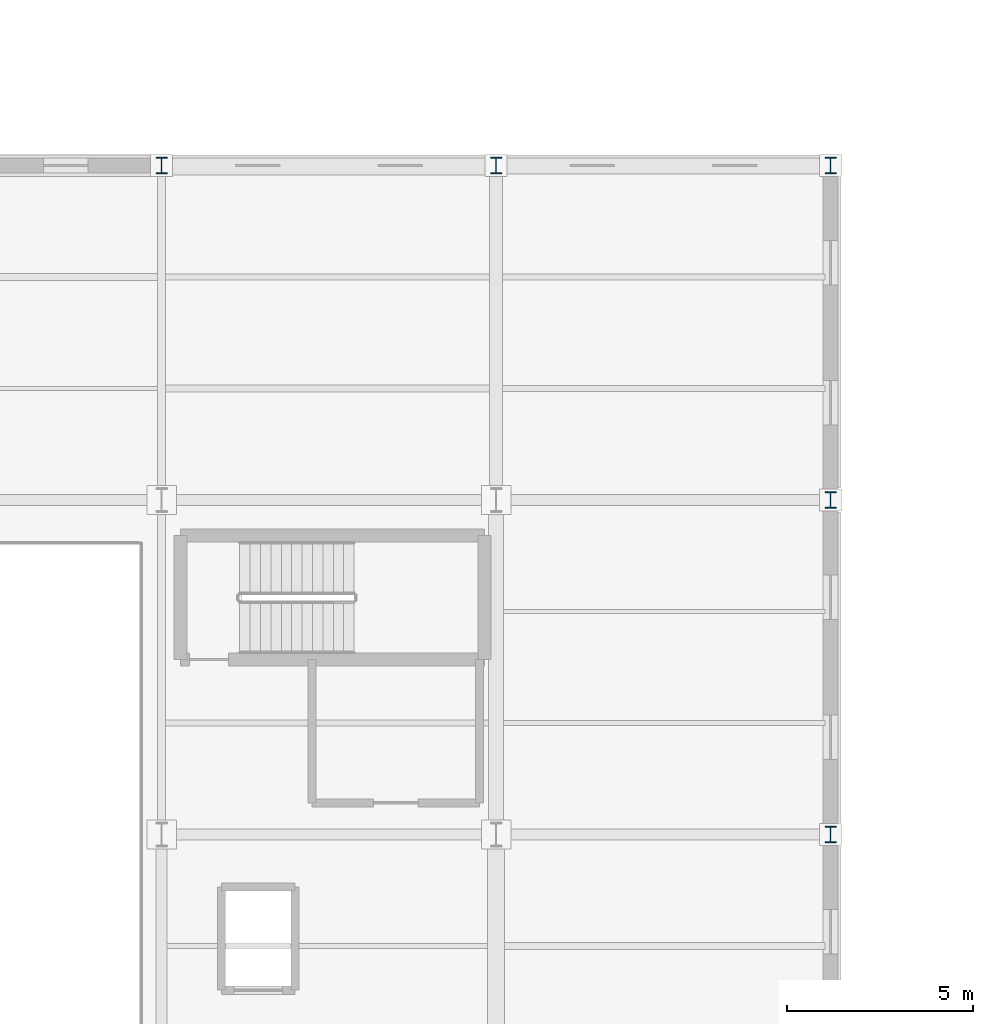
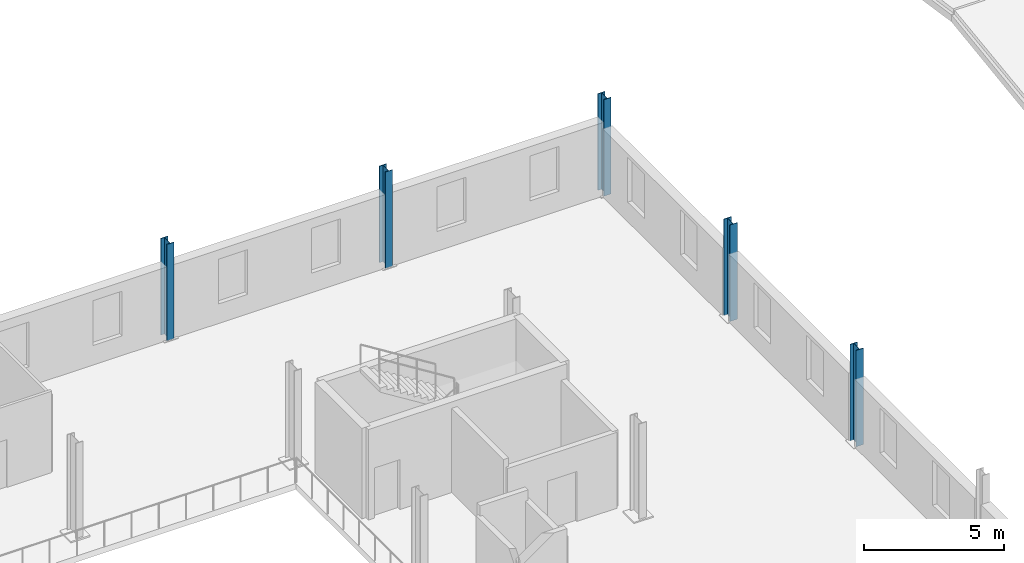
# One storey, part 4 of 17: 5 columns.
"""IFC4 building model written with IfcOpenShell, lengths in metres."""

from ifc_helpers import new_model, si_unit, direction, frame, origin, origin_2d, place, context, subcontext, project, spatial, i_section, extrude, material, material_profile, profile_set, type_object, element, save


model = new_model("IFC4")

# Units and contexts
model_context = context("Model", 3, precision=1e-05, world=origin(), true_north=direction((0.0, 1.0)))
body_context = subcontext(model_context, "Body", "Model", "MODEL_VIEW")
ifc_project = project(units=[si_unit("LENGTHUNIT", "METRE"), si_unit("AREAUNIT", "SQUARE_METRE"), si_unit("VOLUMEUNIT", "CUBIC_METRE"), si_unit("PLANEANGLEUNIT", "RADIAN"), si_unit("MASSUNIT", "GRAM", prefix="KILO")], contexts=[model_context])

# Site, building, storey
site_placement = place(None, origin())
site = spatial("IfcSite", under=ifc_project, at=site_placement, CompositionType="ELEMENT")
building_placement = place(site_placement, origin())
building = spatial("IfcBuilding", under=site, at=building_placement, Name="Sundgate Opera House", CompositionType="ELEMENT")
storey_placement = place(building_placement, frame((0.0, 0.0, 26.39990234375)))
storey = spatial("IfcBuildingStorey", under=building, at=storey_placement, Name="L05", CompositionType="ELEMENT", Elevation=26.39990234375)

# Columns
ifc_material = material(Name="Steel S355J2", Category="steel")
ifc_material_profile = material_profile(ifc_material, i_section(OverallWidth=0.300048828125, OverallDepth=0.449951171875, WebThickness=0.013916015625, FlangeThickness=0.02587890625, at=origin_2d()), Name="HEB 450")
ifc_profile_set = profile_set([ifc_material_profile], Name="Steel S355J2")
column_type = type_object("IfcColumnType", Name="CL-STL-450", PredefinedType="COLUMN", material=ifc_profile_set)
for number, where, z_axis, x_axis, name in (
    (1, (63.0, 87.0, 0.0), (0.0, 0.0, 1.0), (1.0, 0.0, 0.0), "L05 Column C0436"),
    (2, (72.0, 87.0, 0.0), (0.0, 0.0, 1.0), (1.0, 0.0, 0.0), "L05 Column C0503"),
    (3, (81.0, 69.0, 0.0), (0.0, 0.0, 1.0), (1.0, 0.0, 0.0), "L05 Column C0554"),
    (4, (81.0, 78.0, 0.0), (0.0, 0.0, 1.0), (1.0, 0.0, 0.0), "L05 Column C0560"),
    (5, (81.0, 87.0, 0.0), (0.0, 0.0, 1.0), (1.0, 0.0, 0.0), "L05 Column C0566"),
):
    element("IfcColumn", number, at=place(storey_placement, frame(where, z_axis=z_axis, x_axis=x_axis)), inside=storey, type_object=column_type, Name=name, PredefinedType="COLUMN", context=body_context, shape_type="SweptSolid", body=[
        extrude(i_section(OverallWidth=0.300048828125, OverallDepth=0.449951171875, WebThickness=0.013916015625, FlangeThickness=0.02587890625, at=origin_2d()), origin(), (0.0, 0.0, 1.0), 4.2001953125),
    ])

save(model, "model.ifc")
